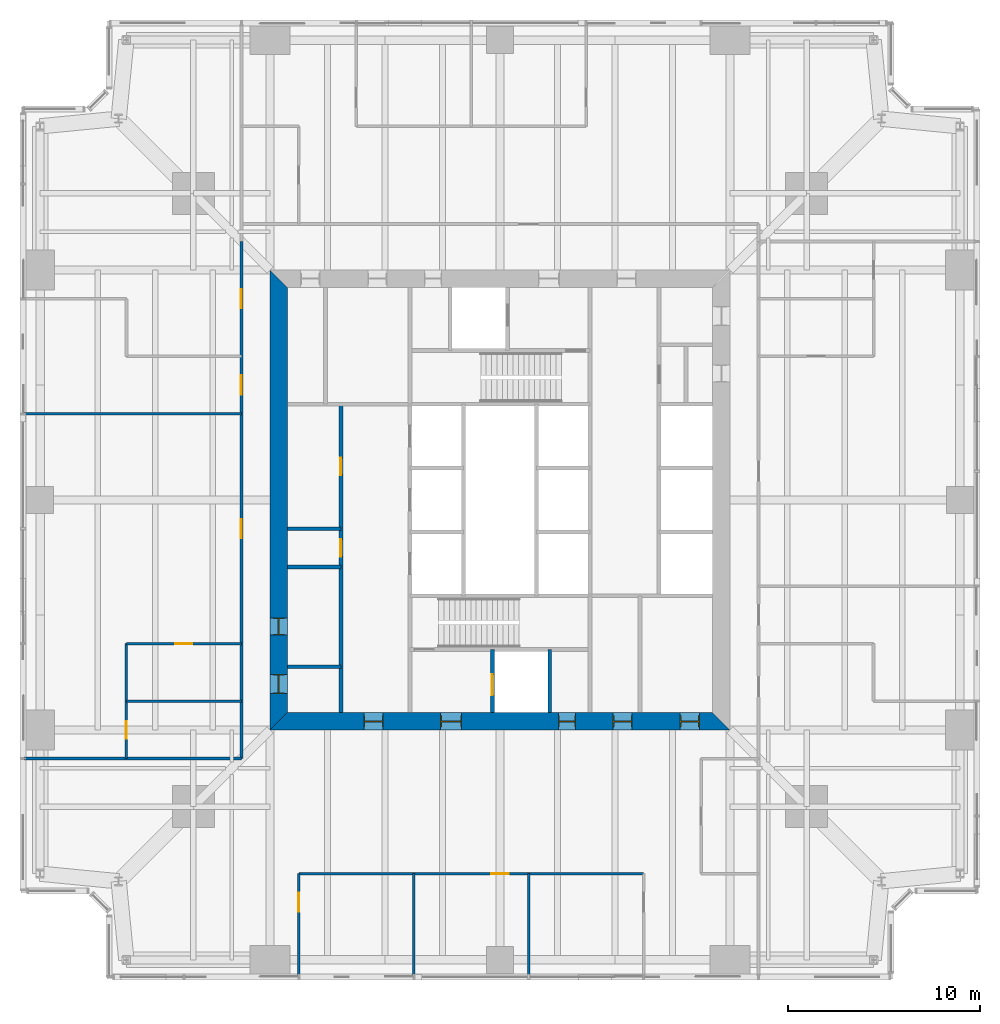
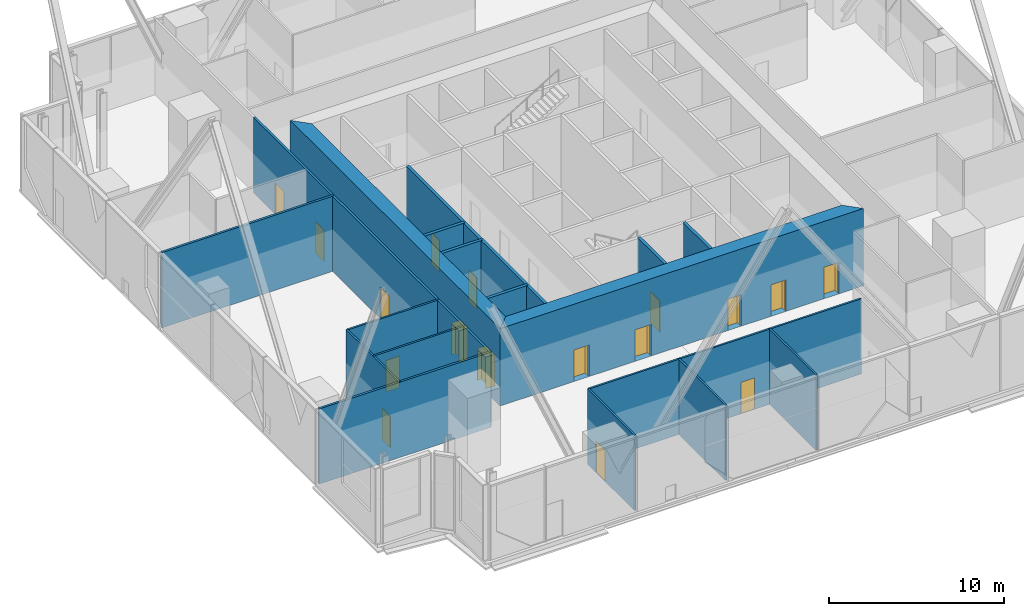
# One storey, part 9 of 13: 18 walls, 17 doors, 17 openings.
"""IFC4 building model written with IfcOpenShell, lengths in metres."""

from ifc_helpers import new_model, si_unit, direction, frame, frame_2d, origin, place, context, subcontext, project, spatial, polyline, rectangle, outline, extrude, material, layer, layer_set, type_object, element, fill, save


model = new_model("IFC4")

# Units and contexts
model_context = context("Model", 3, precision=1e-05, world=origin(), true_north=direction((0.0, 1.0)))
body_context = subcontext(model_context, "Body", "Model", "MODEL_VIEW")
ifc_project = project(units=[si_unit("LENGTHUNIT", "METRE"), si_unit("AREAUNIT", "SQUARE_METRE"), si_unit("VOLUMEUNIT", "CUBIC_METRE"), si_unit("PLANEANGLEUNIT", "RADIAN"), si_unit("MASSUNIT", "GRAM", prefix="KILO")], contexts=[model_context])

# Site, building, storey
site_placement = place(None, origin())
site = spatial("IfcSite", under=ifc_project, at=site_placement, CompositionType="ELEMENT")
building_placement = place(site_placement, origin())
building = spatial("IfcBuilding", under=site, at=building_placement, Name="Fenwick Lantern Interchange", CompositionType="ELEMENT")
storey_placement = place(building_placement, frame((0.0, 0.0, 97.0)))
storey = spatial("IfcBuildingStorey", under=building, at=storey_placement, Name="L22", CompositionType="ELEMENT", Elevation=97.0)

# Wall, openings, doors
ifc_material_1 = material(Name="Concrete masonry ASTM C90 Grade N", Category="masonry")
ifc_layer_1 = layer(ifc_material_1, 0.199951171875)
ifc_layer_set_1 = layer_set([ifc_layer_1], Name="Concrete masonry ASTM C90 Grade N")
wall_type_1 = type_object("IfcWallType", Name="CORE PARTITION 200", PredefinedType="PARTITIONING", material=ifc_layer_set_1)
wall_1_placement = place(storey_placement, frame((16.699951171875, 13.89990234375, 0.0), z_axis=(0.0, 0.0, 1.0), x_axis=(0.0, 1.0, 0.0)))
wall_1 = element("IfcWall", 1, at=wall_1_placement, inside=storey, type_object=wall_type_1, Name="L22/W/CORES/a", PredefinedType="PARTITIONING", context=body_context, shape_type="SweptSolid", body=[
    extrude(rectangle(XDim=16.10009765625, YDim=0.199951171875, at=frame_2d((8.050048828125, 0.0))), origin(), (0.0, 0.0, 1.0), 5.199951171875),
])
opening_1_placement = place(wall_1_placement, frame((8.14990234375, 0.0, 0.0)))
opening_1 = element("IfcOpeningElement", 2, at=opening_1_placement, cuts=wall_1, Name="Opening L22-D009", PredefinedType="OPENING", context=body_context, shape_type="SweptSolid", body=[
    extrude(rectangle(XDim=0.89990234375, YDim=2.199951171875, at=frame_2d((0.449951171875, 1.10009765625))), frame((0.0, 0.10986328125, 0.0), z_axis=(0.0, -1.0, 0.0), x_axis=(1.0, 0.0, 0.0)), (0.0, 0.0, 1.0), 0.219970703125),
])
opening_2_placement = place(wall_1_placement, frame((12.39990234375, 0.0, 0.0)))
opening_2 = element("IfcOpeningElement", 3, at=opening_2_placement, cuts=wall_1, Name="Opening L22-D010", PredefinedType="OPENING", context=body_context, shape_type="SweptSolid", body=[
    extrude(rectangle(XDim=0.89990234375, YDim=2.199951171875, at=frame_2d((0.449951171875, 1.10009765625))), frame((0.0, 0.10986328125, 0.0), z_axis=(0.0, -1.0, 0.0), x_axis=(1.0, 0.0, 0.0)), (0.0, 0.0, 1.0), 0.219970703125),
])
ifc_material_2 = material(Name="Steel door and frame", Category="steel")
door_type_1 = type_object("IfcDoorType", Name="SERVICE DOOR 900 X 2200", OperationType="SINGLE_SWING_LEFT", PredefinedType="DOOR", material=ifc_material_2)
door_1_placement = place(opening_1_placement, origin())
door_1 = element("IfcDoor", 4, at=door_1_placement, inside=storey, type_object=door_type_1, Name="Service door", OperationType="SINGLE_SWING_LEFT", OverallHeight=2.199951171875, OverallWidth=0.89990234375, PredefinedType="DOOR", context=body_context, shape_type="SweptSolid", body=[
    extrude(rectangle(XDim=0.89990234375, YDim=2.199951171875, at=frame_2d((0.449951171875, 1.10009765625))), frame((0.0, 0.02490234375, 0.0), z_axis=(0.0, -1.0, 0.0), x_axis=(1.0, 0.0, 0.0)), (0.0, 0.0, 1.0), 0.050048828125),
])
fill(opening_1, door_1)
door_2_placement = place(opening_2_placement, origin())
door_2 = element("IfcDoor", 5, at=door_2_placement, inside=storey, type_object=door_type_1, Name="Service door", OperationType="SINGLE_SWING_LEFT", OverallHeight=2.199951171875, OverallWidth=0.89990234375, PredefinedType="DOOR", context=body_context, shape_type="SweptSolid", body=[
    extrude(rectangle(XDim=0.89990234375, YDim=2.199951171875, at=frame_2d((0.449951171875, 1.10009765625))), frame((0.0, 0.02490234375, 0.0), z_axis=(0.0, -1.0, 0.0), x_axis=(1.0, 0.0, 0.0)), (0.0, 0.0, 1.0), 0.050048828125),
])
fill(opening_2, door_2)

# Wall, opening, door
wall_2_placement = place(storey_placement, frame((24.60009765625, 13.89990234375, 0.0), z_axis=(0.0, 0.0, 1.0), x_axis=(0.0, 1.0, 0.0)))
wall_2 = element("IfcWall", 6, at=wall_2_placement, inside=storey, type_object=wall_type_1, Name="L22/W/CORES/h1", PredefinedType="PARTITIONING", context=body_context, shape_type="SweptSolid", body=[
    extrude(rectangle(XDim=3.300048828125, YDim=0.199951171875, at=frame_2d((1.64990234375, 0.0))), origin(), (0.0, 0.0, 1.0), 5.199951171875),
])
opening_3_placement = place(wall_2_placement, frame((0.89990234375, 0.0, 0.0)))
opening_3 = element("IfcOpeningElement", 7, at=opening_3_placement, cuts=wall_2, Name="Opening LD-FL1", PredefinedType="OPENING", context=body_context, shape_type="SweptSolid", body=[
    extrude(rectangle(XDim=1.10009765625, YDim=2.199951171875, at=frame_2d((0.550048828125, 1.10009765625))), frame((0.0, 0.10986328125, 0.0), z_axis=(0.0, -1.0, 0.0), x_axis=(1.0, 0.0, 0.0)), (0.0, 0.0, 1.0), 0.219970703125),
])
door_type_2 = type_object("IfcDoorType", Name="LIFT LANDING DOOR 1100 X 2200", OperationType="DOUBLE_DOOR_SLIDING", PredefinedType="DOOR", material=ifc_material_2)
door_3_placement = place(opening_3_placement, origin())
door_3 = element("IfcDoor", 8, at=door_3_placement, inside=storey, type_object=door_type_2, Name="Lift landing door FL1", OperationType="DOUBLE_DOOR_SLIDING", OverallHeight=2.199951171875, OverallWidth=1.10009765625, PredefinedType="DOOR", context=body_context, shape_type="SweptSolid", body=[
    extrude(rectangle(XDim=1.10009765625, YDim=2.199951171875, at=frame_2d((0.550048828125, 1.10009765625))), frame((0.0, 0.02490234375, 0.0), z_axis=(0.0, -1.0, 0.0), x_axis=(1.0, 0.0, 0.0)), (0.0, 0.0, 1.0), 0.050048828125),
])
fill(opening_3, door_3)

# Walls
wall_3_placement = place(storey_placement, frame((27.60009765625, 13.89990234375, 0.0), z_axis=(0.0, 0.0, 1.0), x_axis=(0.0, 1.0, 0.0)))
element("IfcWall", 9, at=wall_3_placement, inside=storey, type_object=wall_type_1, Name="L22/W/CORES/h2", PredefinedType="PARTITIONING", context=body_context, shape_type="SweptSolid", body=[
    extrude(rectangle(XDim=3.300048828125, YDim=0.199951171875, at=frame_2d((1.64990234375, 0.0))), origin(), (0.0, 0.0, 1.0), 5.199951171875),
])
for number, where, z_axis, x_axis, name in (
    (10, (13.89990234375, 16.300048828125, 0.0), (0.0, 0.0, 1.0), (1.0, 0.0, 0.0), "L22/W/CORES/p1"),
    (11, (13.89990234375, 21.5, 0.0), (0.0, 0.0, 1.0), (1.0, 0.0, 0.0), "L22/W/CORES/p2"),
    (12, (13.89990234375, 23.5, 0.0), (0.0, 0.0, 1.0), (1.0, 0.0, 0.0), "L22/W/CORES/p3"),
):
    element("IfcWall", number, at=place(storey_placement, frame(where, z_axis=z_axis, x_axis=x_axis)), inside=storey, type_object=wall_type_1, Name=name, PredefinedType="PARTITIONING", context=body_context, shape_type="SweptSolid", body=[
        extrude(rectangle(XDim=2.800048828125, YDim=0.199951171875, at=frame_2d((1.39990234375, 0.0))), origin(), (0.0, 0.0, 1.0), 5.199951171875),
    ])

# Wall, openings, doors
ifc_material_3 = material(Name="Concrete f'c 70 MPa", Category="concrete")
ifc_layer_2 = layer(ifc_material_3, 0.89990234375)
ifc_layer_set_2 = layer_set([ifc_layer_2], Name="CORE WALL 900")
wall_type_2 = type_object("IfcWallType", Name="CORE WALL 900", PredefinedType="SHEAR", material=ifc_layer_set_2)
wall_4_placement = place(storey_placement, frame((13.0, 13.449951171875, 0.0), z_axis=(0.0, 0.0, 1.0), x_axis=(1.0, 0.0, 0.0)))
wall_4 = element("IfcWall", 13, at=wall_4_placement, inside=storey, type_object=wall_type_2, Name="L22/CORE/S", PredefinedType="SHEAR", context=body_context, shape_type="SweptSolid", body=[
    extrude(outline(polyline([(0.0, -0.449951171875), (24.0, -0.449951171875), (23.10009765625, 0.449951171875), (0.89990234375, 0.449951171875), (0.0, -0.449951171875)])), origin(), (0.0, 0.0, 1.0), 5.39990234375),
])
opening_4_placement = place(wall_4_placement, frame((4.89990234375, 0.0, 0.0)))
opening_4 = element("IfcOpeningElement", 14, at=opening_4_placement, cuts=wall_4, Name="Opening L22-D001", PredefinedType="OPENING", context=body_context, shape_type="SweptSolid", body=[
    extrude(rectangle(XDim=1.0, YDim=2.199951171875, at=frame_2d((0.5, 1.10009765625))), frame((0.0, 0.4599609375, 0.0), z_axis=(0.0, -1.0, 0.0), x_axis=(1.0, 0.0, 0.0)), (0.0, 0.0, 1.0), 0.919921875),
])
opening_5_placement = place(wall_4_placement, frame((8.89990234375, 0.0, 0.0)))
opening_5 = element("IfcOpeningElement", 15, at=opening_5_placement, cuts=wall_4, Name="Opening L22-D002", PredefinedType="OPENING", context=body_context, shape_type="SweptSolid", body=[
    extrude(rectangle(XDim=1.10009765625, YDim=2.199951171875, at=frame_2d((0.550048828125, 1.10009765625))), frame((0.0, 0.4599609375, 0.0), z_axis=(0.0, -1.0, 0.0), x_axis=(1.0, 0.0, 0.0)), (0.0, 0.0, 1.0), 0.919921875),
])
opening_6_placement = place(wall_4_placement, frame((15.050048828125, 0.0, 0.0)))
opening_6 = element("IfcOpeningElement", 16, at=opening_6_placement, cuts=wall_4, Name="Opening L22-D004", PredefinedType="OPENING", context=body_context, shape_type="SweptSolid", body=[
    extrude(rectangle(XDim=0.89990234375, YDim=2.199951171875, at=frame_2d((0.449951171875, 1.10009765625))), frame((0.0, 0.4599609375, 0.0), z_axis=(0.0, -1.0, 0.0), x_axis=(1.0, 0.0, 0.0)), (0.0, 0.0, 1.0), 0.919921875),
])
opening_7_placement = place(wall_4_placement, frame((17.89990234375, 0.0, 0.0)))
opening_7 = element("IfcOpeningElement", 17, at=opening_7_placement, cuts=wall_4, Name="Opening L22-D005", PredefinedType="OPENING", context=body_context, shape_type="SweptSolid", body=[
    extrude(rectangle(XDim=1.0, YDim=2.199951171875, at=frame_2d((0.5, 1.10009765625))), frame((0.0, 0.4599609375, 0.0), z_axis=(0.0, -1.0, 0.0), x_axis=(1.0, 0.0, 0.0)), (0.0, 0.0, 1.0), 0.919921875),
])
opening_8_placement = place(wall_4_placement, frame((21.39990234375, 0.0, 0.0)))
opening_8 = element("IfcOpeningElement", 18, at=opening_8_placement, cuts=wall_4, Name="Opening L22-D006", PredefinedType="OPENING", context=body_context, shape_type="SweptSolid", body=[
    extrude(rectangle(XDim=1.0, YDim=2.199951171875, at=frame_2d((0.5, 1.10009765625))), frame((0.0, 0.4599609375, 0.0), z_axis=(0.0, -1.0, 0.0), x_axis=(1.0, 0.0, 0.0)), (0.0, 0.0, 1.0), 0.919921875),
])
door_type_3 = type_object("IfcDoorType", Name="CORE LOBBY DOOR 1000 X 2200", OperationType="SINGLE_SWING_LEFT", PredefinedType="DOOR", material=ifc_material_2)
door_4_placement = place(opening_4_placement, origin())
door_4 = element("IfcDoor", 19, at=door_4_placement, inside=storey, type_object=door_type_3, Name="Core lobby door", OperationType="SINGLE_SWING_LEFT", OverallHeight=2.199951171875, OverallWidth=1.0, PredefinedType="DOOR", context=body_context, shape_type="SweptSolid", body=[
    extrude(rectangle(XDim=1.0, YDim=2.199951171875, at=frame_2d((0.5, 1.10009765625))), frame((0.0, 0.02490234375, 0.0), z_axis=(0.0, -1.0, 0.0), x_axis=(1.0, 0.0, 0.0)), (0.0, 0.0, 1.0), 0.050048828125),
    extrude(outline(polyline([(0.0, 0.0), (0.0400390625, 0.0), (0.0400390625, 2.159912109375), (0.9599609375, 2.159912109375), (0.9599609375, 0.0), (1.0, 0.0), (1.0, 2.199951171875), (0.0, 2.199951171875), (0.0, 0.0)])), frame((0.0, 0.300048828125, 0.0), z_axis=(0.0, -1.0, 0.0), x_axis=(1.0, 0.0, 0.0)), (0.0, 0.0, 1.0), 0.60009765625),
])
fill(opening_4, door_4)
door_type_4 = type_object("IfcDoorType", Name="FIRE LOBBY DOOR 1100 X 2200", OperationType="SINGLE_SWING_LEFT", PredefinedType="DOOR", material=ifc_material_2)
door_5_placement = place(opening_5_placement, origin())
door_5 = element("IfcDoor", 20, at=door_5_placement, inside=storey, type_object=door_type_4, Name="Fire lobby door", OperationType="SINGLE_SWING_LEFT", OverallHeight=2.199951171875, OverallWidth=1.10009765625, PredefinedType="DOOR", context=body_context, shape_type="SweptSolid", body=[
    extrude(rectangle(XDim=1.10009765625, YDim=2.199951171875, at=frame_2d((0.550048828125, 1.10009765625))), frame((0.0, 0.02490234375, 0.0), z_axis=(0.0, -1.0, 0.0), x_axis=(1.0, 0.0, 0.0)), (0.0, 0.0, 1.0), 0.050048828125),
    extrude(outline(polyline([(0.0, 0.0), (0.0400390625, 0.0), (0.0400390625, 2.159912109375), (1.06005859375, 2.159912109375), (1.06005859375, 0.0), (1.10009765625, 0.0), (1.10009765625, 2.199951171875), (0.0, 2.199951171875), (0.0, 0.0)])), frame((0.0, 0.300048828125, 0.0), z_axis=(0.0, -1.0, 0.0), x_axis=(1.0, 0.0, 0.0)), (0.0, 0.0, 1.0), 0.60009765625),
])
fill(opening_5, door_5)
door_6_placement = place(opening_6_placement, origin())
door_6 = element("IfcDoor", 21, at=door_6_placement, inside=storey, type_object=door_type_1, Name="Service door", OperationType="SINGLE_SWING_LEFT", OverallHeight=2.199951171875, OverallWidth=0.89990234375, PredefinedType="DOOR", context=body_context, shape_type="SweptSolid", body=[
    extrude(rectangle(XDim=0.89990234375, YDim=2.199951171875, at=frame_2d((0.449951171875, 1.10009765625))), frame((0.0, 0.02490234375, 0.0), z_axis=(0.0, -1.0, 0.0), x_axis=(1.0, 0.0, 0.0)), (0.0, 0.0, 1.0), 0.050048828125),
    extrude(outline(polyline([(0.0, 0.0), (0.0400390625, 0.0), (0.0400390625, 2.159912109375), (0.85986328125, 2.159912109375), (0.85986328125, 0.0), (0.89990234375, 0.0), (0.89990234375, 2.199951171875), (0.0, 2.199951171875), (0.0, 0.0)])), frame((0.0, 0.300048828125, 0.0), z_axis=(0.0, -1.0, 0.0), x_axis=(1.0, 0.0, 0.0)), (0.0, 0.0, 1.0), 0.60009765625),
])
fill(opening_6, door_6)
ifc_material_4 = material(Name="Hardwood door and steel frame", Category="steel")
door_type_5 = type_object("IfcDoorType", Name="WC DOOR 1000 X 2200", OperationType="SINGLE_SWING_LEFT", PredefinedType="DOOR", material=ifc_material_4)
door_7_placement = place(opening_7_placement, origin())
door_7 = element("IfcDoor", 22, at=door_7_placement, inside=storey, type_object=door_type_5, Name="Wc door", OperationType="SINGLE_SWING_RIGHT", OverallHeight=2.199951171875, OverallWidth=1.0, PredefinedType="DOOR", context=body_context, shape_type="SweptSolid", body=[
    extrude(rectangle(XDim=1.0, YDim=2.199951171875, at=frame_2d((0.5, 1.10009765625))), frame((0.0, 0.02490234375, 0.0), z_axis=(0.0, -1.0, 0.0), x_axis=(1.0, 0.0, 0.0)), (0.0, 0.0, 1.0), 0.050048828125),
    extrude(outline(polyline([(0.0, 0.0), (0.0400390625, 0.0), (0.0400390625, 2.159912109375), (0.9599609375, 2.159912109375), (0.9599609375, 0.0), (1.0, 0.0), (1.0, 2.199951171875), (0.0, 2.199951171875), (0.0, 0.0)])), frame((0.0, 0.300048828125, 0.0), z_axis=(0.0, -1.0, 0.0), x_axis=(1.0, 0.0, 0.0)), (0.0, 0.0, 1.0), 0.60009765625),
])
fill(opening_7, door_7)
door_8_placement = place(opening_8_placement, origin())
door_8 = element("IfcDoor", 23, at=door_8_placement, inside=storey, type_object=door_type_5, Name="Wc door", OperationType="SINGLE_SWING_RIGHT", OverallHeight=2.199951171875, OverallWidth=1.0, PredefinedType="DOOR", context=body_context, shape_type="SweptSolid", body=[
    extrude(rectangle(XDim=1.0, YDim=2.199951171875, at=frame_2d((0.5, 1.10009765625))), frame((0.0, 0.02490234375, 0.0), z_axis=(0.0, -1.0, 0.0), x_axis=(1.0, 0.0, 0.0)), (0.0, 0.0, 1.0), 0.050048828125),
    extrude(outline(polyline([(0.0, 0.0), (0.0400390625, 0.0), (0.0400390625, 2.159912109375), (0.9599609375, 2.159912109375), (0.9599609375, 0.0), (1.0, 0.0), (1.0, 2.199951171875), (0.0, 2.199951171875), (0.0, 0.0)])), frame((0.0, 0.300048828125, 0.0), z_axis=(0.0, -1.0, 0.0), x_axis=(1.0, 0.0, 0.0)), (0.0, 0.0, 1.0), 0.60009765625),
])
fill(opening_8, door_8)

wall_5_placement = place(storey_placement, frame((13.449951171875, 36.10009765625, 0.0), z_axis=(0.0, 0.0, 1.0), x_axis=(0.0, -1.0, 0.0)))
wall_5 = element("IfcWall", 24, at=wall_5_placement, inside=storey, type_object=wall_type_2, Name="L22/CORE/W", PredefinedType="SHEAR", context=body_context, shape_type="SweptSolid", body=[
    extrude(outline(polyline([(-0.89990234375, -0.449951171875), (23.10009765625, -0.449951171875), (22.199951171875, 0.449951171875), (0.0, 0.449951171875), (-0.89990234375, -0.449951171875)])), origin(), (0.0, 0.0, 1.0), 5.39990234375),
])
opening_9_placement = place(wall_5_placement, frame((20.199951171875, 0.0, 0.0)))
opening_9 = element("IfcOpeningElement", 25, at=opening_9_placement, cuts=wall_5, Name="Opening L22-D007", PredefinedType="OPENING", context=body_context, shape_type="SweptSolid", body=[
    extrude(rectangle(XDim=1.0, YDim=2.199951171875, at=frame_2d((0.5, 1.10009765625))), frame((0.0, 0.4599609375, 0.0), z_axis=(0.0, -1.0, 0.0), x_axis=(1.0, 0.0, 0.0)), (0.0, 0.0, 1.0), 0.919921875),
])
opening_10_placement = place(wall_5_placement, frame((17.25, 0.0, 0.0)))
opening_10 = element("IfcOpeningElement", 26, at=opening_10_placement, cuts=wall_5, Name="Opening L22-D008", PredefinedType="OPENING", context=body_context, shape_type="SweptSolid", body=[
    extrude(rectangle(XDim=0.89990234375, YDim=2.199951171875, at=frame_2d((0.449951171875, 1.10009765625))), frame((0.0, 0.4599609375, 0.0), z_axis=(0.0, -1.0, 0.0), x_axis=(1.0, 0.0, 0.0)), (0.0, 0.0, 1.0), 0.919921875),
])
door_9_placement = place(opening_10_placement, origin())
door_9 = element("IfcDoor", 27, at=door_9_placement, inside=storey, type_object=door_type_1, Name="Service door", OperationType="SINGLE_SWING_RIGHT", OverallHeight=2.199951171875, OverallWidth=0.89990234375, PredefinedType="DOOR", context=body_context, shape_type="SweptSolid", body=[
    extrude(rectangle(XDim=0.89990234375, YDim=2.199951171875, at=frame_2d((0.449951171875, 1.10009765625))), frame((0.0, 0.02490234375, 0.0), z_axis=(0.0, -1.0, 0.0), x_axis=(1.0, 0.0, 0.0)), (0.0, 0.0, 1.0), 0.050048828125),
    extrude(outline(polyline([(0.0, 0.0), (0.0400390625, 0.0), (0.0400390625, 2.159912109375), (0.85986328125, 2.159912109375), (0.85986328125, 0.0), (0.89990234375, 0.0), (0.89990234375, 2.199951171875), (0.0, 2.199951171875), (0.0, 0.0)])), frame((0.0, 0.300048828125, 0.0), z_axis=(0.0, -1.0, 0.0), x_axis=(1.0, 0.0, 0.0)), (0.0, 0.0, 1.0), 0.60009765625),
])
fill(opening_10, door_9)
door_10_placement = place(opening_9_placement, origin())
door_10 = element("IfcDoor", 28, at=door_10_placement, inside=storey, type_object=door_type_5, Name="Wc door", OperationType="SINGLE_SWING_LEFT", OverallHeight=2.199951171875, OverallWidth=1.0, PredefinedType="DOOR", context=body_context, shape_type="SweptSolid", body=[
    extrude(rectangle(XDim=1.0, YDim=2.199951171875, at=frame_2d((0.5, 1.10009765625))), frame((0.0, 0.02490234375, 0.0), z_axis=(0.0, -1.0, 0.0), x_axis=(1.0, 0.0, 0.0)), (0.0, 0.0, 1.0), 0.050048828125),
    extrude(outline(polyline([(0.0, 0.0), (0.0400390625, 0.0), (0.0400390625, 2.159912109375), (0.9599609375, 2.159912109375), (0.9599609375, 0.0), (1.0, 0.0), (1.0, 2.199951171875), (0.0, 2.199951171875), (0.0, 0.0)])), frame((0.0, 0.300048828125, 0.0), z_axis=(0.0, -1.0, 0.0), x_axis=(1.0, 0.0, 0.0)), (0.0, 0.0, 1.0), 0.60009765625),
])
fill(opening_9, door_10)

ifc_material_5 = material(Name="Gypsum board on steel studs, 1 hour", Category="steel")
ifc_layer_3 = layer(ifc_material_5, 0.14990234375)
ifc_layer_set_3 = layer_set([ifc_layer_3], Name="CORRIDOR WALL 150")
wall_type_3 = type_object("IfcWallType", Name="CORRIDOR WALL 150", PredefinedType="PARTITIONING", material=ifc_layer_set_3)
wall_6_placement = place(storey_placement, frame((11.5, 38.5, 0.0), z_axis=(0.0, 0.0, 1.0), x_axis=(0.0, -1.0, 0.0)))
wall_6 = element("IfcWall", 29, at=wall_6_placement, inside=storey, type_object=wall_type_3, Name="L22/W/OFF/W/CW", PredefinedType="PARTITIONING", context=body_context, shape_type="SweptSolid", body=[
    extrude(rectangle(XDim=27.0, YDim=0.14990234375, at=frame_2d((13.5, 0.0))), origin(), (0.0, 0.0, 1.0), 5.25),
])
opening_11_placement = place(wall_6_placement, frame((2.5, 0.0, 0.0)))
opening_11 = element("IfcOpeningElement", 30, at=opening_11_placement, cuts=wall_6, Name="Opening L22-D033", PredefinedType="OPENING", context=body_context, shape_type="SweptSolid", body=[
    extrude(rectangle(XDim=1.0, YDim=2.199951171875, at=frame_2d((0.5, 1.10009765625))), frame((0.0, 0.0849609375, 0.0), z_axis=(0.0, -1.0, 0.0), x_axis=(1.0, 0.0, 0.0)), (0.0, 0.0, 1.0), 0.169921875),
])
opening_12_placement = place(wall_6_placement, frame((7.0, 0.0, 0.0)))
opening_12 = element("IfcOpeningElement", 31, at=opening_12_placement, cuts=wall_6, Name="Opening L22-D034", PredefinedType="OPENING", context=body_context, shape_type="SweptSolid", body=[
    extrude(rectangle(XDim=1.0, YDim=2.199951171875, at=frame_2d((0.5, 1.10009765625))), frame((0.0, 0.0849609375, 0.0), z_axis=(0.0, -1.0, 0.0), x_axis=(1.0, 0.0, 0.0)), (0.0, 0.0, 1.0), 0.169921875),
])
opening_13_placement = place(wall_6_placement, frame((14.5, 0.0, 0.0)))
opening_13 = element("IfcOpeningElement", 32, at=opening_13_placement, cuts=wall_6, Name="Opening L22-D035", PredefinedType="OPENING", context=body_context, shape_type="SweptSolid", body=[
    extrude(rectangle(XDim=1.0, YDim=2.199951171875, at=frame_2d((0.5, 1.10009765625))), frame((0.0, 0.0849609375, 0.0), z_axis=(0.0, -1.0, 0.0), x_axis=(1.0, 0.0, 0.0)), (0.0, 0.0, 1.0), 0.169921875),
])
door_type_6 = type_object("IfcDoorType", Name="SUITE ENTRANCE DOOR 1000 X 2200", OperationType="SINGLE_SWING_LEFT", PredefinedType="DOOR", material=ifc_material_2)
door_11_placement = place(opening_11_placement, frame((1.0, 0.0, 0.0), z_axis=(0.0, 0.0, 1.0), x_axis=(-1.0, 0.0, 0.0)))
door_11 = element("IfcDoor", 33, at=door_11_placement, inside=storey, type_object=door_type_6, Name="Suite entrance door", OperationType="SINGLE_SWING_LEFT", OverallHeight=2.199951171875, OverallWidth=1.0, PredefinedType="DOOR", context=body_context, shape_type="SweptSolid", body=[
    extrude(rectangle(XDim=1.0, YDim=2.199951171875, at=frame_2d((0.5, 1.10009765625))), frame((0.0, 0.02490234375, 0.0), z_axis=(0.0, -1.0, 0.0), x_axis=(1.0, 0.0, 0.0)), (0.0, 0.0, 1.0), 0.050048828125),
])
fill(opening_11, door_11)
door_12_placement = place(opening_12_placement, frame((1.0, 0.0, 0.0), z_axis=(0.0, 0.0, 1.0), x_axis=(-1.0, 0.0, 0.0)))
door_12 = element("IfcDoor", 34, at=door_12_placement, inside=storey, type_object=door_type_6, Name="Suite entrance door", OperationType="SINGLE_SWING_RIGHT", OverallHeight=2.199951171875, OverallWidth=1.0, PredefinedType="DOOR", context=body_context, shape_type="SweptSolid", body=[
    extrude(rectangle(XDim=1.0, YDim=2.199951171875, at=frame_2d((0.5, 1.10009765625))), frame((0.0, 0.02490234375, 0.0), z_axis=(0.0, -1.0, 0.0), x_axis=(1.0, 0.0, 0.0)), (0.0, 0.0, 1.0), 0.050048828125),
])
fill(opening_12, door_12)
door_13_placement = place(opening_13_placement, frame((1.0, 0.0, 0.0), z_axis=(0.0, 0.0, 1.0), x_axis=(-1.0, 0.0, 0.0)))
door_13 = element("IfcDoor", 35, at=door_13_placement, inside=storey, type_object=door_type_6, Name="Suite entrance door", OperationType="SINGLE_SWING_RIGHT", OverallHeight=2.199951171875, OverallWidth=1.0, PredefinedType="DOOR", context=body_context, shape_type="SweptSolid", body=[
    extrude(rectangle(XDim=1.0, YDim=2.199951171875, at=frame_2d((0.5, 1.10009765625))), frame((0.0, 0.02490234375, 0.0), z_axis=(0.0, -1.0, 0.0), x_axis=(1.0, 0.0, 0.0)), (0.0, 0.0, 1.0), 0.050048828125),
])
fill(opening_13, door_13)

# Wall, opening, door
ifc_material_6 = material(Name="Gypsum board on steel studs, acoustic", Category="steel")
ifc_layer_4 = layer(ifc_material_6, 0.125)
ifc_layer_set_4 = layer_set([ifc_layer_4], Name="OFFICE PARTITION 125")
wall_type_4 = type_object("IfcWallType", Name="OFFICE PARTITION 125", PredefinedType="PARTITIONING", material=ifc_layer_set_4)
wall_7_placement = place(storey_placement, frame((14.5, 0.14990234375, 0.0), z_axis=(0.0, 0.0, 1.0), x_axis=(0.0, 1.0, 0.0)))
wall_7 = element("IfcWall", 36, at=wall_7_placement, inside=storey, type_object=wall_type_4, Name="L22/W/OFF/S/X145-1", PredefinedType="PARTITIONING", context=body_context, shape_type="SweptSolid", body=[
    extrude(rectangle(XDim=5.35009765625, YDim=0.125, at=frame_2d((2.675048828125, 0.0))), origin(), (0.0, 0.0, 1.0), 5.25),
])
opening_14_placement = place(wall_7_placement, frame((3.35009765625, 0.0, 0.0)))
opening_14 = element("IfcOpeningElement", 37, at=opening_14_placement, cuts=wall_7, Name="Opening L22-D020", PredefinedType="OPENING", context=body_context, shape_type="SweptSolid", body=[
    extrude(rectangle(XDim=1.0, YDim=2.199951171875, at=frame_2d((0.5, 1.10009765625))), frame((0.0, 0.072509765625, 0.0), z_axis=(0.0, -1.0, 0.0), x_axis=(1.0, 0.0, 0.0)), (0.0, 0.0, 1.0), 0.14501953125),
])
door_type_7 = type_object("IfcDoorType", Name="MEETING ROOM DOOR 1000 X 2200", OperationType="SINGLE_SWING_LEFT", PredefinedType="DOOR", material=ifc_material_4)
door_14_placement = place(opening_14_placement, frame((1.0, 0.0, 0.0), z_axis=(0.0, 0.0, 1.0), x_axis=(-1.0, 0.0, 0.0)))
door_14 = element("IfcDoor", 38, at=door_14_placement, inside=storey, type_object=door_type_7, Name="Meeting room door", OperationType="SINGLE_SWING_LEFT", OverallHeight=2.199951171875, OverallWidth=1.0, PredefinedType="DOOR", context=body_context, shape_type="SweptSolid", body=[
    extrude(rectangle(XDim=1.0, YDim=2.199951171875, at=frame_2d((0.5, 1.10009765625))), frame((0.0, 0.02490234375, 0.0), z_axis=(0.0, -1.0, 0.0), x_axis=(1.0, 0.0, 0.0)), (0.0, 0.0, 1.0), 0.050048828125),
])
fill(opening_14, door_14)

# Walls
for number, where, z_axis, x_axis, name in (
    (39, (20.5, 0.14990234375, 0.0), (0.0, 0.0, 1.0), (0.0, 1.0, 0.0), "L22/W/OFF/S/X205-1"),
    (40, (26.5, 0.14990234375, 0.0), (0.0, 0.0, 1.0), (0.0, 1.0, 0.0), "L22/W/OFF/S/X265-1"),
):
    element("IfcWall", number, at=place(storey_placement, frame(where, z_axis=z_axis, x_axis=x_axis)), inside=storey, type_object=wall_type_4, Name=name, PredefinedType="PARTITIONING", context=body_context, shape_type="SweptSolid", body=[
        extrude(rectangle(XDim=5.35009765625, YDim=0.125, at=frame_2d((2.675048828125, 0.0))), origin(), (0.0, 0.0, 1.0), 5.25),
    ])

# Wall, opening, door
wall_8_placement = place(storey_placement, frame((14.5, 5.5, 0.0), z_axis=(0.0, 0.0, 1.0), x_axis=(1.0, 0.0, 0.0)))
wall_8 = element("IfcWall", 41, at=wall_8_placement, inside=storey, type_object=wall_type_4, Name="L22/W/OFF/S/Y55-1", PredefinedType="PARTITIONING", context=body_context, shape_type="SweptSolid", body=[
    extrude(rectangle(XDim=18.0, YDim=0.125, at=frame_2d((9.0, 0.0))), origin(), (0.0, 0.0, 1.0), 5.25),
])
opening_15_placement = place(wall_8_placement, frame((10.050048828125, 0.0, 0.0)))
opening_15 = element("IfcOpeningElement", 42, at=opening_15_placement, cuts=wall_8, Name="Opening L22-D021", PredefinedType="OPENING", context=body_context, shape_type="SweptSolid", body=[
    extrude(rectangle(XDim=0.89990234375, YDim=2.199951171875, at=frame_2d((0.449951171875, 1.10009765625))), frame((0.0, 0.072509765625, 0.0), z_axis=(0.0, -1.0, 0.0), x_axis=(1.0, 0.0, 0.0)), (0.0, 0.0, 1.0), 0.14501953125),
])
door_type_8 = type_object("IfcDoorType", Name="OFFICE DOOR 900 X 2200", OperationType="SINGLE_SWING_LEFT", PredefinedType="DOOR", material=ifc_material_4)
door_15_placement = place(opening_15_placement, frame((0.89990234375, 0.0, 0.0), z_axis=(0.0, 0.0, 1.0), x_axis=(-1.0, 0.0, 0.0)))
door_15 = element("IfcDoor", 43, at=door_15_placement, inside=storey, type_object=door_type_8, Name="Office door", OperationType="SINGLE_SWING_LEFT", OverallHeight=2.199951171875, OverallWidth=0.89990234375, PredefinedType="DOOR", context=body_context, shape_type="SweptSolid", body=[
    extrude(rectangle(XDim=0.89990234375, YDim=2.199951171875, at=frame_2d((0.449951171875, 1.10009765625))), frame((0.0, 0.02490234375, 0.0), z_axis=(0.0, -1.0, 0.0), x_axis=(1.0, 0.0, 0.0)), (0.0, 0.0, 1.0), 0.050048828125),
])
fill(opening_15, door_15)

wall_9_placement = place(storey_placement, frame((5.5, 17.5, 0.0), z_axis=(0.0, 0.0, 1.0), x_axis=(1.0, 0.0, 0.0)))
wall_9 = element("IfcWall", 44, at=wall_9_placement, inside=storey, type_object=wall_type_4, Name="L22/W/OFF/W/X325-1", PredefinedType="PARTITIONING", context=body_context, shape_type="SweptSolid", body=[
    extrude(rectangle(XDim=6.0, YDim=0.125, at=frame_2d((3.0, 0.0))), origin(), (0.0, 0.0, 1.0), 5.25),
])
opening_16_placement = place(wall_9_placement, frame((2.550048828125, 0.0, 0.0)))
opening_16 = element("IfcOpeningElement", 45, at=opening_16_placement, cuts=wall_9, Name="Opening L22-D036", PredefinedType="OPENING", context=body_context, shape_type="SweptSolid", body=[
    extrude(rectangle(XDim=0.89990234375, YDim=2.199951171875, at=frame_2d((0.449951171875, 1.10009765625))), frame((0.0, 0.072509765625, 0.0), z_axis=(0.0, -1.0, 0.0), x_axis=(1.0, 0.0, 0.0)), (0.0, 0.0, 1.0), 0.14501953125),
])
door_16_placement = place(opening_16_placement, frame((0.89990234375, 0.0, 0.0), z_axis=(0.0, 0.0, 1.0), x_axis=(-1.0, 0.0, 0.0)))
door_16 = element("IfcDoor", 46, at=door_16_placement, inside=storey, type_object=door_type_8, Name="Office door", OperationType="SINGLE_SWING_RIGHT", OverallHeight=2.199951171875, OverallWidth=0.89990234375, PredefinedType="DOOR", context=body_context, shape_type="SweptSolid", body=[
    extrude(rectangle(XDim=0.89990234375, YDim=2.199951171875, at=frame_2d((0.449951171875, 1.10009765625))), frame((0.0, 0.02490234375, 0.0), z_axis=(0.0, -1.0, 0.0), x_axis=(1.0, 0.0, 0.0)), (0.0, 0.0, 1.0), 0.050048828125),
])
fill(opening_16, door_16)

# Wall
wall_10_placement = place(storey_placement, frame((5.5, 14.5, 0.0), z_axis=(0.0, 0.0, 1.0), x_axis=(1.0, 0.0, 0.0)))
element("IfcWall", 47, at=wall_10_placement, inside=storey, type_object=wall_type_4, Name="L22/W/OFF/W/X355-1", PredefinedType="PARTITIONING", context=body_context, shape_type="SweptSolid", body=[
    extrude(rectangle(XDim=6.0, YDim=0.125, at=frame_2d((3.0, 0.0))), origin(), (0.0, 0.0, 1.0), 5.25),
])

# Wall, opening, door
wall_11_placement = place(storey_placement, frame((5.5, 17.5, 0.0), z_axis=(0.0, 0.0, 1.0), x_axis=(0.0, -1.0, 0.0)))
wall_11 = element("IfcWall", 48, at=wall_11_placement, inside=storey, type_object=wall_type_4, Name="L22/W/OFF/W/Y55-2", PredefinedType="PARTITIONING", context=body_context, shape_type="SweptSolid", body=[
    extrude(rectangle(XDim=6.0, YDim=0.125, at=frame_2d((3.0, 0.0))), origin(), (0.0, 0.0, 1.0), 5.25),
])
opening_17_placement = place(wall_11_placement, frame((4.050048828125, 0.0, 0.0)))
opening_17 = element("IfcOpeningElement", 49, at=opening_17_placement, cuts=wall_11, Name="Opening L22-D037", PredefinedType="OPENING", context=body_context, shape_type="SweptSolid", body=[
    extrude(rectangle(XDim=0.89990234375, YDim=2.199951171875, at=frame_2d((0.449951171875, 1.10009765625))), frame((0.0, 0.072509765625, 0.0), z_axis=(0.0, -1.0, 0.0), x_axis=(1.0, 0.0, 0.0)), (0.0, 0.0, 1.0), 0.14501953125),
])
door_17_placement = place(opening_17_placement, origin())
door_17 = element("IfcDoor", 50, at=door_17_placement, inside=storey, type_object=door_type_8, Name="Office door", OperationType="SINGLE_SWING_LEFT", OverallHeight=2.199951171875, OverallWidth=0.89990234375, PredefinedType="DOOR", context=body_context, shape_type="SweptSolid", body=[
    extrude(rectangle(XDim=0.89990234375, YDim=2.199951171875, at=frame_2d((0.449951171875, 1.10009765625))), frame((0.0, 0.02490234375, 0.0), z_axis=(0.0, -1.0, 0.0), x_axis=(1.0, 0.0, 0.0)), (0.0, 0.0, 1.0), 0.050048828125),
])
fill(opening_17, door_17)

# Walls
ifc_material_7 = material(Name="Gypsum board on steel studs, 1 hour acoustic", Category="steel")
ifc_layer_5 = layer(ifc_material_7, 0.14990234375)
ifc_layer_set_5 = layer_set([ifc_layer_5], Name="TENANT WALL 150")
wall_type_5 = type_object("IfcWallType", Name="TENANT WALL 150", PredefinedType="PARTITIONING", material=ifc_layer_set_5)
for number, where, z_axis, x_axis, name in (
    (51, (0.14990234375, 11.5, 0.0), (0.0, 0.0, 1.0), (1.0, 0.0, 0.0), "L22/W/OFF/S/BACK"),
    (52, (0.14990234375, 29.5, 0.0), (0.0, 0.0, 1.0), (1.0, 0.0, 0.0), "L22/W/OFF/W/X205-1"),
):
    element("IfcWall", number, at=place(storey_placement, frame(where, z_axis=z_axis, x_axis=x_axis)), inside=storey, type_object=wall_type_5, Name=name, PredefinedType="PARTITIONING", context=body_context, shape_type="SweptSolid", body=[
        extrude(rectangle(XDim=11.35009765625, YDim=0.14990234375, at=frame_2d((5.675048828125, 0.0))), origin(), (0.0, 0.0, 1.0), 5.25),
    ])

save(model, "model.ifc")
